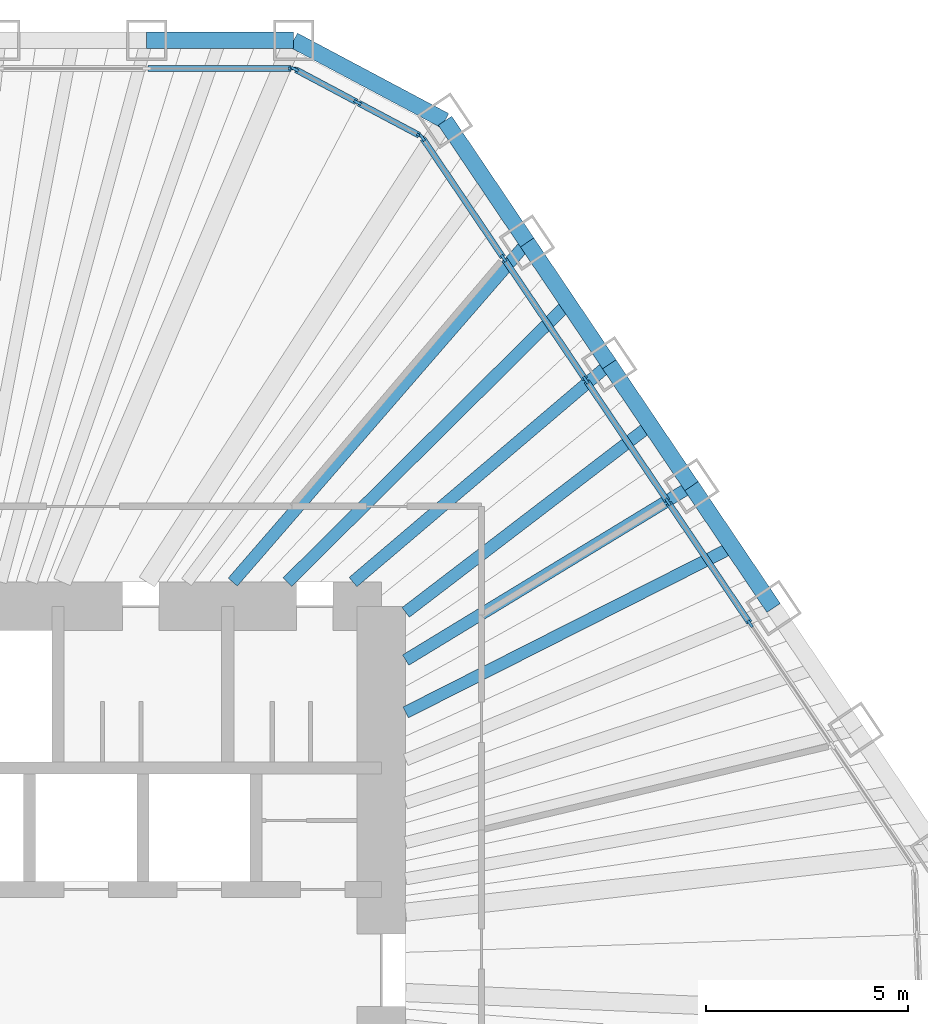
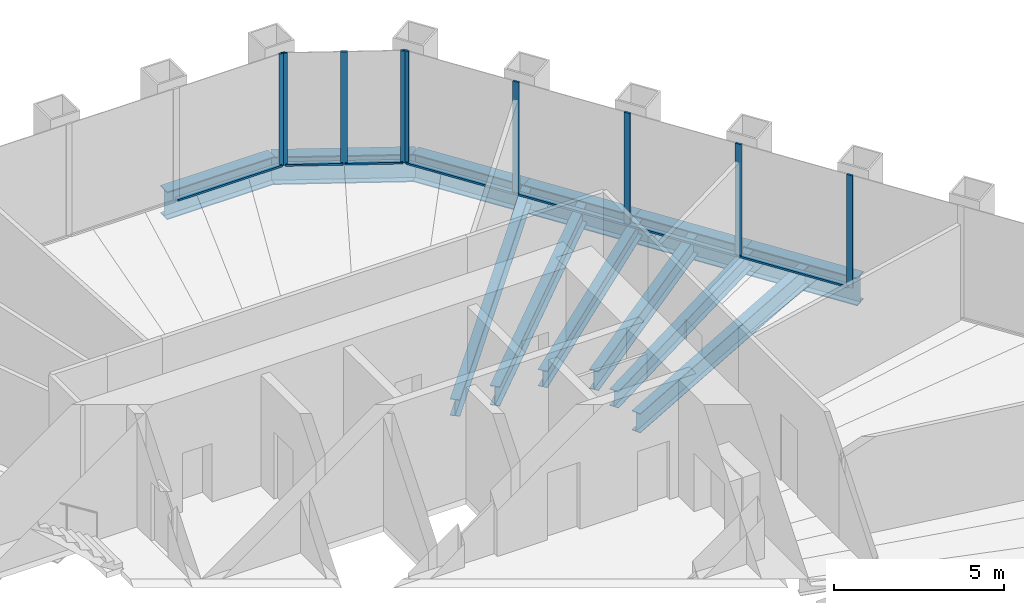
# One storey, part 7 of 14: 16 members, 12 beams, 3 elements without a shape of their own.
"""IFC4 building model written with IfcOpenShell, lengths in metres."""

import ifcopenshell
import ifcopenshell.guid

model = None  # the IFC model being written
_history = None  # IfcOwnerHistory: only IFC2X3 demands one
_inside = {}  # id of a spatial element -> (the spatial element, [elements in it])
_under = {}  # id of a project, library or spatial element -> (it, [spatial elements below it])
_declared = {}  # id of a project -> (the project, [libraries it declares])
_typed = {}  # id of a type object -> (the type object, [elements of that type])
_made_of = {}  # id of a material, layer set ... -> (it, [elements and type objects made of it])


def new_model(schema):
    """Start an empty IFC model of exactly this schema.

    Asked for "IFC4X3", IfcOpenShell would pick the latest addendum, in which some entities
    have other attributes; the version numbers below select the first issue.
    IFC2X3 requires an IfcOwnerHistory on every rooted entity: one is made here for all.
    """
    global model, _history
    if schema == "IFC4X3":
        model = ifcopenshell.file(schema_version=(4, 3, 0, 0))
    else:
        model = ifcopenshell.file(schema=schema)
    _inside.clear()
    _under.clear()
    _declared.clear()
    _typed.clear()
    _made_of.clear()
    _history = None
    if model.schema == "IFC2X3":
        org = make("IfcOrganization", Name="unknown")
        user = make(
            "IfcPersonAndOrganization",
            ThePerson=make("IfcPerson", FamilyName="unknown"),
            TheOrganization=org,
        )
        app = make(
            "IfcApplication",
            ApplicationDeveloper=org,
            Version="unknown",
            ApplicationFullName="unknown",
            ApplicationIdentifier="unknown",
        )
        _history = make(
            "IfcOwnerHistory",
            OwningUser=user,
            OwningApplication=app,
            ChangeAction="ADDED",
            CreationDate=0,
        )
    return model


def make(cls, **values):
    """One entity of the class cls with the attributes given. An attribute that is None is left unset."""
    return model.create_entity(
        cls, **{name: value for name, value in values.items() if value is not None}
    )


def rooted(cls, **values):
    """An entity with a GlobalId (a new one), such as an element, a storey or a relation."""
    return make(cls, GlobalId=ifcopenshell.guid.new(), OwnerHistory=_history, **values)


def si_unit(unit_type, name, prefix=None):
    """IfcSIUnit, for example si_unit("LENGTHUNIT", "METRE", prefix="MILLI")."""
    return make("IfcSIUnit", UnitType=unit_type, Prefix=prefix, Name=name)


def assignment(units):
    """IfcUnitAssignment: the units of a project."""
    return None if units is None else make("IfcUnitAssignment", Units=units)


def point(xyz):
    """IfcCartesianPoint."""
    return None if xyz is None else make("IfcCartesianPoint", Coordinates=xyz)


def direction(xyz):
    """IfcDirection."""
    return None if xyz is None else make("IfcDirection", DirectionRatios=xyz)


def frame(location, z_axis=None, x_axis=None):
    """IfcAxis2Placement3D, a coordinate frame: its origin and axes. An axis left out is left unset."""
    return make(
        "IfcAxis2Placement3D",
        Location=point(location),
        Axis=direction(z_axis),
        RefDirection=direction(x_axis),
    )


def frame_2d(location, x_axis=None):
    """IfcAxis2Placement2D, a coordinate frame in the plane: its origin and x axis."""
    return make(
        "IfcAxis2Placement2D", Location=point(location), RefDirection=direction(x_axis)
    )


def origin():
    """The frame at (0, 0, 0) with its axes left unset."""
    return frame((0.0, 0.0, 0.0))


def origin_2d():
    """The frame at (0, 0) in the plane with its x axis left unset."""
    return frame_2d((0.0, 0.0))


def place(relative_to, where):
    """IfcLocalPlacement: puts the frame where relative to a parent placement (None: the world)."""
    return make(
        "IfcLocalPlacement", PlacementRelTo=relative_to, RelativePlacement=where
    )


def context(
    kind, dimensions, precision=None, world=None, true_north=None, identifier=None
):
    """IfcGeometricRepresentationContext, for example the 3D "Model" context."""
    return make(
        "IfcGeometricRepresentationContext",
        ContextIdentifier=identifier,
        ContextType=kind,
        CoordinateSpaceDimension=dimensions,
        Precision=precision,
        WorldCoordinateSystem=world,
        TrueNorth=true_north,
    )


def subcontext(parent, identifier, kind, view, scale=None):
    """IfcGeometricRepresentationSubContext, for example "Body" below "Model"."""
    return make(
        "IfcGeometricRepresentationSubContext",
        ContextIdentifier=identifier,
        ContextType=kind,
        ParentContext=parent,
        TargetScale=scale,
        TargetView=view,
    )


def project(units=None, contexts=None):
    """IfcProject with its units and contexts."""
    return rooted(
        "IfcProject",
        Name="project",
        RepresentationContexts=contexts,
        UnitsInContext=assignment(units),
    )


def spatial(cls, under=None, at=None, **own):
    """A site, building, storey or space (cls), placed at a placement, below another one or the project."""
    s = rooted(cls, ObjectPlacement=at, **own)
    if under is not None:
        _under.setdefault(under.id(), (under, []))[1].append(s)
    return s


def profile(cls, at=None, kind="AREA", **sizes):
    """A parametric profile (cls). Its sizes go by their IFC names, for example OverallWidth=200.0."""
    return make(cls, ProfileType=kind, Position=at, **sizes)


def rectangle(**sizes):
    """IfcRectangleProfileDef."""
    return profile("IfcRectangleProfileDef", **sizes)


def i_section(**sizes):
    """IfcIShapeProfileDef."""
    return profile("IfcIShapeProfileDef", **sizes)


def extrude(swept, where, along, depth):
    """IfcExtrudedAreaSolid: the profile swept, set in the frame where, extruded along a direction by depth."""
    return make(
        "IfcExtrudedAreaSolid",
        SweptArea=swept,
        Position=where,
        ExtrudedDirection=direction(along),
        Depth=depth,
    )


def shape(context_of_items, identifier, shape_type, items):
    """IfcShapeRepresentation: the items that make up one representation, for example the "Body"."""
    return make(
        "IfcShapeRepresentation",
        ContextOfItems=context_of_items,
        RepresentationIdentifier=identifier,
        RepresentationType=shape_type,
        Items=items,
    )


def material(Name=None, Category=None):
    """IfcMaterial."""
    return make("IfcMaterial", Name=Name, Category=Category)


def material_profile(
    of_material, cross_section, Name=None, Category=None, Priority=None
):
    """IfcMaterialProfile: a cross section and its material."""
    return make(
        "IfcMaterialProfile",
        Name=Name,
        Material=of_material,
        Profile=cross_section,
        Priority=Priority,
        Category=Category,
    )


def profile_set(profiles, Name=None, composite=None):
    """IfcMaterialProfileSet."""
    return make(
        "IfcMaterialProfileSet",
        Name=Name,
        MaterialProfiles=profiles,
        CompositeProfile=composite,
    )


def made_of(thing, what):
    """Note that an element or type object is made of a material, layer set ...; save() writes the relation."""
    if what is not None:
        _made_of.setdefault(what.id(), (what, []))[1].append(thing)
    return thing


def type_object(cls, material=None, **own):
    """A type object (cls), such as IfcWallType, which elements share."""
    return made_of(rooted(cls, **own), material)


def element(
    cls,
    number,
    at=None,
    inside=None,
    cuts=None,
    type_object=None,
    material=None,
    context=None,
    identifier="Body",
    shape_type=None,
    held_by="IfcProductDefinitionShape",
    body=None,
    shapes=None,
    **own,
):
    """One element of the class cls, such as IfcWall. Its Tag is "e" and its number.

    at: its placement. inside: the storey or other place that contains it. cuts: it is an
    opening in that element (IfcRelVoidsElement). A single representation is given by context,
    identifier, shape_type and body (its items); several are given by shapes. held_by: the class
    of the entity that holds the representations. save() writes the other relations.
    """
    e = rooted(cls, Tag="e%d" % number, ObjectPlacement=at, **own)
    if body is not None:
        shapes = [shape(context, identifier, shape_type, body)]
    if shapes is not None:
        e.Representation = make(held_by, Representations=shapes)
    if inside is not None:
        _inside.setdefault(inside.id(), (inside, []))[1].append(e)
    if cuts is not None:
        rooted(
            "IfcRelVoidsElement", RelatingBuildingElement=cuts, RelatedOpeningElement=e
        )
    if type_object is not None:
        _typed.setdefault(type_object.id(), (type_object, []))[1].append(e)
    return made_of(e, material)


def aggregate(whole, parts):
    """IfcRelAggregates: a whole, such as a stair, and the parts it consists of."""
    return rooted("IfcRelAggregates", RelatingObject=whole, RelatedObjects=parts)


def save(model, path):
    """Write the relations noted so far, then the file.

    IfcRelAggregates (storeys below a building ...), IfcRelContainedInSpatialStructure (elements
    in a storey), IfcRelDefinesByType, IfcRelAssociatesMaterial and IfcRelDeclares: one each for
    every whole, place, type object, material and project.
    """
    for whole, parts in _under.values():
        aggregate(whole, parts)
    for where, things in _inside.values():
        rooted(
            "IfcRelContainedInSpatialStructure",
            RelatedElements=things,
            RelatingStructure=where,
        )
    for kind, things in _typed.values():
        rooted("IfcRelDefinesByType", RelatedObjects=things, RelatingType=kind)
    for what, things in _made_of.values():
        rooted("IfcRelAssociatesMaterial", RelatedObjects=things, RelatingMaterial=what)
    for by, libraries in _declared.values():
        rooted("IfcRelDeclares", RelatingContext=by, RelatedDefinitions=libraries)
    model.write(path)


model = new_model("IFC4")

# Units and contexts
model_context = context("Model", 3, precision=1e-05, world=origin(), true_north=direction((0.0, 1.0)))
body_context = subcontext(model_context, "Body", "Model", "MODEL_VIEW")
ifc_project = project(units=[si_unit("LENGTHUNIT", "METRE"), si_unit("AREAUNIT", "SQUARE_METRE"), si_unit("VOLUMEUNIT", "CUBIC_METRE"), si_unit("PLANEANGLEUNIT", "RADIAN"), si_unit("MASSUNIT", "GRAM", prefix="KILO")], contexts=[model_context])

# Site, building, storey
site_placement = place(None, origin())
site = spatial("IfcSite", under=ifc_project, at=site_placement, CompositionType="ELEMENT")
building_placement = place(site_placement, origin())
building = spatial("IfcBuilding", under=site, at=building_placement, Name="Qingtian Harvest Tower", CompositionType="ELEMENT")
storey_placement = place(building_placement, frame((0.0, 0.0, 235.0)))
storey = spatial("IfcBuildingStorey", under=building, at=storey_placement, Name="L51", CompositionType="ELEMENT", Elevation=235.0)

# Beams
ifc_material_1 = material(Name="Steel SN490B", Category="steel")
ifc_material_profile_1 = material_profile(ifc_material_1, i_section(OverallWidth=0.300048828125, OverallDepth=0.60009765625, WebThickness=0.011962890625, FlangeThickness=0.02001953125, at=origin_2d()), Name="H600x300x12x20")
ifc_profile_set_1 = profile_set([ifc_material_profile_1], Name="Steel SN490B")
beam_type_1 = type_object("IfcBeamType", Name="Floor beam FB3 H600x300x12x20", PredefinedType="BEAM", material=ifc_profile_set_1)
beam_1_placement = place(storey_placement, frame((15.603271484375, 17.998046875, -0.469970703125), z_axis=(-0.655048444444, -0.755586881458, 0.0), x_axis=(0.755586881458, -0.655048444444, 0.0)))
element("IfcBeam", 1, at=beam_1_placement, inside=storey, type_object=beam_type_1, Name="Floor beam FB3 NE1", PredefinedType="BEAM", context=body_context, shape_type="SweptSolid", body=[
    extrude(i_section(OverallWidth=0.300048828125, OverallDepth=0.60009765625, WebThickness=0.011962890625, FlangeThickness=0.02001953125, at=origin_2d()), origin(), (0.0, 0.0, 1.0), 11.114501953125),
])
beam_2_placement = place(storey_placement, frame((17.635009765625, 14.985595703125, -0.469970703125), z_axis=(-0.762028398305, -0.647543604846, 0.0), x_axis=(0.647543604846, -0.762028398305, 0.0)))
element("IfcBeam", 2, at=beam_2_placement, inside=storey, type_object=beam_type_1, Name="Floor beam FB3 NE2", PredefinedType="BEAM", context=body_context, shape_type="SweptSolid", body=[
    extrude(i_section(OverallWidth=0.300048828125, OverallDepth=0.60009765625, WebThickness=0.011962890625, FlangeThickness=0.02001953125, at=origin_2d()), origin(), (0.0, 0.0, 1.0), 8.31689453125),
])
beam_3_placement = place(storey_placement, frame((19.6669921875, 11.97314453125, -0.469970703125), z_axis=(-0.854163224424, -0.520004986554, 0.0), x_axis=(0.520004986554, -0.854163224424, 0.0)))
element("IfcBeam", 3, at=beam_3_placement, inside=storey, type_object=beam_type_1, Name="Floor beam FB3 NE3", PredefinedType="BEAM", context=body_context, shape_type="SweptSolid", body=[
    extrude(i_section(OverallWidth=0.300048828125, OverallDepth=0.60009765625, WebThickness=0.011962890625, FlangeThickness=0.02001953125, at=origin_2d()), origin(), (0.0, 0.0, 1.0), 8.2734375),
])
ifc_material_2 = material(Name="Steel SN490B", Category="steel")
ifc_material_profile_2 = material_profile(ifc_material_2, i_section(OverallWidth=0.300048828125, OverallDepth=0.699951171875, WebThickness=0.012939453125, FlangeThickness=0.02392578125, at=origin_2d()), Name="H700x300x13x24")
ifc_profile_set_2 = profile_set([ifc_material_profile_2], Name="Steel SN490B")
beam_type_2 = type_object("IfcBeamType", Name="Floor joist J2 H700x300x13x24", PredefinedType="JOIST", material=ifc_profile_set_2)
beam_4_placement = place(storey_placement, frame((16.619140625, 16.49169921875, -0.52001953125), z_axis=(-0.709833839663, -0.704369164622, 0.0), x_axis=(0.704369164622, -0.709833839663, 0.0)))
element("IfcBeam", 4, at=beam_4_placement, inside=storey, type_object=beam_type_2, Name="Floor joist J2 NE1", PredefinedType="JOIST", context=body_context, shape_type="SweptSolid", body=[
    extrude(i_section(OverallWidth=0.300048828125, OverallDepth=0.699951171875, WebThickness=0.012939453125, FlangeThickness=0.02392578125, at=origin_2d()), origin(), (0.0, 0.0, 1.0), 9.7841796875),
])
beam_5_placement = place(storey_placement, frame((18.651123046875, 13.4794921875, -0.52001953125), z_axis=(-0.794222288871, -0.607627316585, 0.0), x_axis=(0.607627316585, -0.794222288871, 0.0)))
element("IfcBeam", 5, at=beam_5_placement, inside=storey, type_object=beam_type_2, Name="Floor joist J2 NE2", PredefinedType="JOIST", context=body_context, shape_type="SweptSolid", body=[
    extrude(i_section(OverallWidth=0.300048828125, OverallDepth=0.699951171875, WebThickness=0.012939453125, FlangeThickness=0.02392578125, at=origin_2d()), origin(), (0.0, 0.0, 1.0), 7.618896484375),
])
beam_6_placement = place(storey_placement, frame((20.682861328125, 10.467041015625, -0.52001953125), z_axis=(-0.892244443914, -0.451552712652, 0.0), x_axis=(0.451552712652, -0.892244443914, 0.0)))
element("IfcBeam", 6, at=beam_6_placement, inside=storey, type_object=beam_type_2, Name="Floor joist J2 NE3", PredefinedType="JOIST", context=body_context, shape_type="SweptSolid", body=[
    extrude(i_section(OverallWidth=0.300048828125, OverallDepth=0.699951171875, WebThickness=0.012939453125, FlangeThickness=0.02392578125, at=origin_2d()), origin(), (0.0, 0.0, 1.0), 9.058837890625),
])

# Curtain wall, member
ifc_material_3 = material(Name="Bronze-anodised aluminium curtain wall", Category="aluminium")
curtain_wall_type = type_object("IfcCurtainWallType", Name="Curtain wall CW4 office", PredefinedType="USERDEFINED", material=ifc_material_3)
curtain_wall_1_placement = place(storey_placement, origin())
curtain_wall_1 = element("IfcCurtainWall", 7, at=curtain_wall_1_placement, inside=storey, type_object=curtain_wall_type, Name="Curtain wall CW4 L51 N0-5", ObjectType="RECESSED CURTAIN WALL", PredefinedType="USERDEFINED")
ifc_material_4 = material(Name="Bronze-anodised aluminium mullion", Category="aluminium")
ifc_material_profile_3 = material_profile(ifc_material_4, rectangle(XDim=0.06494140625, YDim=0.199951171875, at=origin_2d()), Name="AL 65x200")
ifc_profile_set_3 = profile_set([ifc_material_profile_3], Name="Bronze-anodised aluminium mullion")
member_type_1 = type_object("IfcMemberType", Name="Mullion CWM 65x200", PredefinedType="MULLION", material=ifc_profile_set_3)
member_1_placement = place(storey_placement, frame((9.796875, 22.300048828125, 0.0), z_axis=(0.0, 0.0, 1.0), x_axis=(0.0, 1.0, 0.0)))
member_1 = element("IfcMember", 8, at=member_1_placement, type_object=member_type_1, Name="CW4 mullion 7", PredefinedType="MULLION", context=body_context, shape_type="SweptSolid", body=[
    extrude(rectangle(XDim=0.06494140625, YDim=0.199951171875, at=origin_2d()), origin(), (0.0, 0.0, 1.0), 4.030029296875),
])

# Curtain wall, members
curtain_wall_2_placement = place(storey_placement, origin())
curtain_wall_2 = element("IfcCurtainWall", 9, at=curtain_wall_2_placement, inside=storey, type_object=curtain_wall_type, Name="Curtain wall CW4 L51 NC", ObjectType="RECESSED CURTAIN WALL", PredefinedType="USERDEFINED")
member_2_placement = place(storey_placement, frame((9.85791015625, 22.28466796875, 0.0), z_axis=(0.0, 0.0, 1.0), x_axis=(0.469471562786, 0.882947592859, 0.0)))
member_2 = element("IfcMember", 10, at=member_2_placement, type_object=member_type_1, Name="CW4 mullion 1", PredefinedType="MULLION", context=body_context, shape_type="SweptSolid", body=[
    extrude(rectangle(XDim=0.06494140625, YDim=0.199951171875, at=origin_2d()), origin(), (0.0, 0.0, 1.0), 4.030029296875),
])
member_3_placement = place(storey_placement, frame((11.41015625, 21.45947265625, 0.0), z_axis=(0.0, 0.0, 1.0), x_axis=(0.469471562786, 0.882947592859, 0.0)))
member_3 = element("IfcMember", 11, at=member_3_placement, type_object=member_type_1, Name="CW4 mullion 2", PredefinedType="MULLION", context=body_context, shape_type="SweptSolid", body=[
    extrude(rectangle(XDim=0.06494140625, YDim=0.199951171875, at=origin_2d()), origin(), (0.0, 0.0, 1.0), 4.030029296875),
])
member_4_placement = place(storey_placement, frame((12.96240234375, 20.634033203125, 0.0), z_axis=(0.0, 0.0, 1.0), x_axis=(0.469471562786, 0.882947592859, 0.0)))
member_4 = element("IfcMember", 12, at=member_4_placement, type_object=member_type_1, Name="CW4 mullion 3", PredefinedType="MULLION", context=body_context, shape_type="SweptSolid", body=[
    extrude(rectangle(XDim=0.06494140625, YDim=0.199951171875, at=origin_2d()), origin(), (0.0, 0.0, 1.0), 4.030029296875),
])

curtain_wall_3_placement = place(storey_placement, origin())
curtain_wall_3 = element("IfcCurtainWall", 13, at=curtain_wall_3_placement, inside=storey, type_object=curtain_wall_type, Name="Curtain wall CW4 L51 NE0-5", ObjectType="RECESSED CURTAIN WALL", PredefinedType="USERDEFINED")
member_5_placement = place(storey_placement, frame((13.00927734375, 20.592041015625, 0.0), z_axis=(0.0, 0.0, 1.0), x_axis=(0.829037572555, 0.559192903471, 0.0)))
member_5 = element("IfcMember", 14, at=member_5_placement, type_object=member_type_1, Name="CW4 mullion 1", PredefinedType="MULLION", context=body_context, shape_type="SweptSolid", body=[
    extrude(rectangle(XDim=0.06494140625, YDim=0.199951171875, at=origin_2d()), origin(), (0.0, 0.0, 1.0), 4.030029296875),
])
member_6_placement = place(storey_placement, frame((15.02294921875, 17.6064453125, 0.0), z_axis=(0.0, 0.0, 1.0), x_axis=(0.829037572555, 0.559192903471, 0.0)))
member_6 = element("IfcMember", 15, at=member_6_placement, type_object=member_type_1, Name="CW4 mullion 2", PredefinedType="MULLION", context=body_context, shape_type="SweptSolid", body=[
    extrude(rectangle(XDim=0.06494140625, YDim=0.199951171875, at=origin_2d()), origin(), (0.0, 0.0, 1.0), 4.030029296875),
])
member_7_placement = place(storey_placement, frame((17.0546875, 14.59423828125, 0.0), z_axis=(0.0, 0.0, 1.0), x_axis=(0.829037572555, 0.559192903471, 0.0)))
member_7 = element("IfcMember", 16, at=member_7_placement, type_object=member_type_1, Name="CW4 mullion 3", PredefinedType="MULLION", context=body_context, shape_type="SweptSolid", body=[
    extrude(rectangle(XDim=0.06494140625, YDim=0.199951171875, at=origin_2d()), origin(), (0.0, 0.0, 1.0), 4.030029296875),
])
member_8_placement = place(storey_placement, frame((19.086669921875, 11.581787109375, 0.0), z_axis=(0.0, 0.0, 1.0), x_axis=(0.829037572555, 0.559192903471, 0.0)))
member_8 = element("IfcMember", 17, at=member_8_placement, type_object=member_type_1, Name="CW4 mullion 4", PredefinedType="MULLION", context=body_context, shape_type="SweptSolid", body=[
    extrude(rectangle(XDim=0.06494140625, YDim=0.199951171875, at=origin_2d()), origin(), (0.0, 0.0, 1.0), 4.030029296875),
])
member_9_placement = place(storey_placement, frame((21.118408203125, 8.569580078125, 0.0), z_axis=(0.0, 0.0, 1.0), x_axis=(0.829037572555, 0.559192903471, 0.0)))
member_9 = element("IfcMember", 18, at=member_9_placement, type_object=member_type_1, Name="CW4 mullion 5", PredefinedType="MULLION", context=body_context, shape_type="SweptSolid", body=[
    extrude(rectangle(XDim=0.06494140625, YDim=0.199951171875, at=origin_2d()), origin(), (0.0, 0.0, 1.0), 4.030029296875),
])

# Beams
ifc_material_5 = material(Name="Steel SN490B", Category="steel")
ifc_material_profile_4 = material_profile(ifc_material_5, i_section(OverallWidth=0.39990234375, OverallDepth=1.0, WebThickness=0.01904296875, FlangeThickness=0.035888671875, at=origin_2d()), Name="H1000x400x19x36")
ifc_profile_set_4 = profile_set([ifc_material_profile_4], Name="Steel SN490B")
beam_type_3 = type_object("IfcBeamType", Name="Spandrel beam SB3 H1000x400x19x36", PredefinedType="SPANDREL", material=ifc_profile_set_4)
beam_7_placement = place(storey_placement, frame((6.19580078125, 23.0, -0.5), z_axis=(1.0, 0.0, 0.0), x_axis=(0.0, 1.0, 0.0)))
element("IfcBeam", 19, at=beam_7_placement, inside=storey, type_object=beam_type_3, Name="Spandrel SB3 N5", PredefinedType="SPANDREL", context=body_context, shape_type="SweptSolid", body=[
    extrude(i_section(OverallWidth=0.39990234375, OverallDepth=1.0, WebThickness=0.01904296875, FlangeThickness=0.035888671875, at=origin_2d()), origin(), (0.0, 0.0, 1.0), 3.633544921875),
])
beam_8_placement = place(storey_placement, frame((9.829345703125, 23.0, -0.5), z_axis=(0.882935902835, -0.469493547863, 0.0), x_axis=(0.469493547863, 0.882935902835, 0.0)))
element("IfcBeam", 20, at=beam_8_placement, inside=storey, type_object=beam_type_3, Name="Spandrel SB3 NC", PredefinedType="SPANDREL", context=body_context, shape_type="SweptSolid", body=[
    extrude(i_section(OverallWidth=0.39990234375, OverallDepth=1.0, WebThickness=0.01904296875, FlangeThickness=0.035888671875, at=origin_2d()), origin(), (0.0, 0.0, 1.0), 4.238037109375),
])
for number, where, z_axis, x_axis, name in (
    (21, (13.5712890625, 21.01025390625, -0.5), (0.559235108412, -0.829009103399, 0.0), (0.829009103399, 0.559235108412, 0.0), "Spandrel SB3 NE0"),
    (22, (15.603271484375, 17.998046875, -0.5), (0.55915777886, -0.829061263321, 0.0), (0.829061263321, 0.55915777886, 0.0), "Spandrel SB3 NE1"),
):
    element("IfcBeam", number, at=place(storey_placement, frame(where, z_axis=z_axis, x_axis=x_axis)), inside=storey, type_object=beam_type_3, Name=name, PredefinedType="SPANDREL", context=body_context, shape_type="SweptSolid", body=[
        extrude(i_section(OverallWidth=0.39990234375, OverallDepth=1.0, WebThickness=0.01904296875, FlangeThickness=0.035888671875, at=origin_2d()), origin(), (0.0, 0.0, 1.0), 3.633544921875),
    ])
beam_9_placement = place(storey_placement, frame((17.635009765625, 14.985595703125, -0.5), z_axis=(0.55920395902, -0.829030115385, 0.0), x_axis=(0.829030115385, 0.55920395902, 0.0)))
element("IfcBeam", 23, at=beam_9_placement, inside=storey, type_object=beam_type_3, Name="Spandrel SB3 NE2", PredefinedType="SPANDREL", context=body_context, shape_type="SweptSolid", body=[
    extrude(i_section(OverallWidth=0.39990234375, OverallDepth=1.0, WebThickness=0.01904296875, FlangeThickness=0.035888671875, at=origin_2d()), origin(), (0.0, 0.0, 1.0), 3.6337890625),
])
beam_10_placement = place(storey_placement, frame((19.6669921875, 11.97314453125, -0.5), z_axis=(0.559188928021, -0.829040254016, 0.0), x_axis=(0.829040254016, 0.559188928021, 0.0)))
element("IfcBeam", 24, at=beam_10_placement, inside=storey, type_object=beam_type_3, Name="Spandrel SB3 NE3", PredefinedType="SPANDREL", context=body_context, shape_type="SweptSolid", body=[
    extrude(i_section(OverallWidth=0.39990234375, OverallDepth=1.0, WebThickness=0.01904296875, FlangeThickness=0.035888671875, at=origin_2d()), origin(), (0.0, 0.0, 1.0), 3.63330078125),
])

# Member
ifc_material_6 = material(Name="Bronze-anodised aluminium transom", Category="aluminium")
ifc_material_profile_5 = material_profile(ifc_material_6, rectangle(XDim=0.14990234375, YDim=0.06494140625, at=origin_2d()), Name="AL 65x150")
ifc_profile_set_5 = profile_set([ifc_material_profile_5], Name="Bronze-anodised aluminium transom")
member_type_2 = type_object("IfcMemberType", Name="Transom CWT 65x150", PredefinedType="USERDEFINED", material=ifc_profile_set_5)
member_10_placement = place(storey_placement, frame((6.228271484375, 22.300048828125, 0.032470703125), z_axis=(1.0, 0.0, 0.0), x_axis=(0.0, 1.0, 0.0)))
member_10 = element("IfcMember", 25, at=member_10_placement, type_object=member_type_2, Name="CW4 transom 6.1", ObjectType="TRANSOM", PredefinedType="USERDEFINED", context=body_context, shape_type="SweptSolid", body=[
    extrude(rectangle(XDim=0.14990234375, YDim=0.06494140625, at=origin_2d()), origin(), (0.0, 0.0, 1.0), 3.5361328125),
])

aggregate(curtain_wall_1, [member_1, member_10])

member_11_placement = place(storey_placement, frame((9.88671875, 22.26953125, 0.032470703125), z_axis=(0.882927080927, -0.469510138086, 0.0), x_axis=(0.469510138086, 0.882927080927, 0.0)))
member_11 = element("IfcMember", 26, at=member_11_placement, type_object=member_type_2, Name="CW4 transom 1.1", ObjectType="TRANSOM", PredefinedType="USERDEFINED", context=body_context, shape_type="SweptSolid", body=[
    extrude(rectangle(XDim=0.14990234375, YDim=0.06494140625, at=origin_2d()), origin(), (0.0, 0.0, 1.0), 1.693115234375),
])

member_12_placement = place(storey_placement, frame((11.43896484375, 21.444091796875, 0.032470703125), z_axis=(0.882955074232, -0.469457492098, 0.0), x_axis=(0.469457492098, 0.882955074232, 0.0)))
member_12 = element("IfcMember", 27, at=member_12_placement, type_object=member_type_2, Name="CW4 transom 2.1", ObjectType="TRANSOM", PredefinedType="USERDEFINED", context=body_context, shape_type="SweptSolid", body=[
    extrude(rectangle(XDim=0.14990234375, YDim=0.06494140625, at=origin_2d()), origin(), (0.0, 0.0, 1.0), 1.69287109375),
])

aggregate(curtain_wall_2, [member_2, member_3, member_4, member_11, member_12])

member_13_placement = place(storey_placement, frame((13.02734375, 20.56494140625, 0.032470703125), z_axis=(0.559201266891, -0.829031931295, 0.0), x_axis=(0.829031931295, 0.559201266891, 0.0)))
member_13 = element("IfcMember", 28, at=member_13_placement, type_object=member_type_2, Name="CW4 transom 1.1", ObjectType="TRANSOM", PredefinedType="USERDEFINED", context=body_context, shape_type="SweptSolid", body=[
    extrude(rectangle(XDim=0.14990234375, YDim=0.06494140625, at=origin_2d()), origin(), (0.0, 0.0, 1.0), 3.535888671875),
])

member_14_placement = place(storey_placement, frame((15.041015625, 17.57958984375, 0.032470703125), z_axis=(0.559207281901, -0.829027874, 0.0), x_axis=(0.829027874, 0.559207281901, 0.0)))
member_14 = element("IfcMember", 29, at=member_14_placement, type_object=member_type_2, Name="CW4 transom 2.1", ObjectType="TRANSOM", PredefinedType="USERDEFINED", context=body_context, shape_type="SweptSolid", body=[
    extrude(rectangle(XDim=0.14990234375, YDim=0.06494140625, at=origin_2d()), origin(), (0.0, 0.0, 1.0), 3.568603515625),
])

member_15_placement = place(storey_placement, frame((17.072998046875, 14.567138671875, 0.032470703125), z_axis=(0.559191977147, -0.829038197368, 0.0), x_axis=(0.829038197368, 0.559191977147, 0.0)))
member_15 = element("IfcMember", 30, at=member_15_placement, type_object=member_type_2, Name="CW4 transom 3.1", ObjectType="TRANSOM", PredefinedType="USERDEFINED", context=body_context, shape_type="SweptSolid", body=[
    extrude(rectangle(XDim=0.14990234375, YDim=0.06494140625, at=origin_2d()), origin(), (0.0, 0.0, 1.0), 3.568359375),
])

member_16_placement = place(storey_placement, frame((19.104736328125, 11.554931640625, 0.032470703125), z_axis=(0.559207281901, -0.829027874, 0.0), x_axis=(0.829027874, 0.559207281901, 0.0)))
member_16 = element("IfcMember", 31, at=member_16_placement, type_object=member_type_2, Name="CW4 transom 4.1", ObjectType="TRANSOM", PredefinedType="USERDEFINED", context=body_context, shape_type="SweptSolid", body=[
    extrude(rectangle(XDim=0.14990234375, YDim=0.06494140625, at=origin_2d()), origin(), (0.0, 0.0, 1.0), 3.568603515625),
])

aggregate(curtain_wall_3, [member_5, member_6, member_7, member_8, member_9, member_13, member_14, member_15, member_16])

save(model, "model.ifc")
